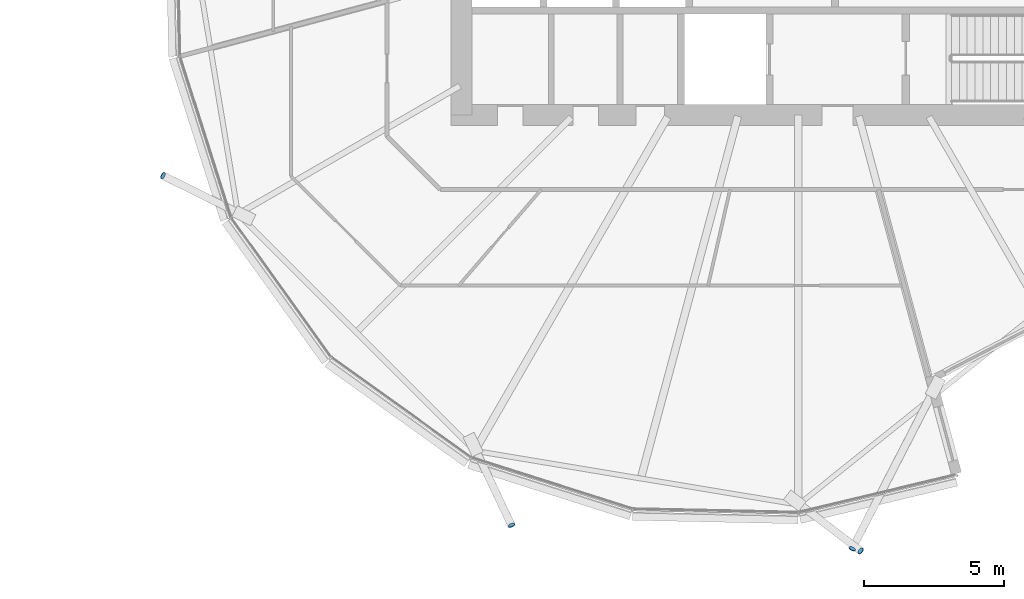
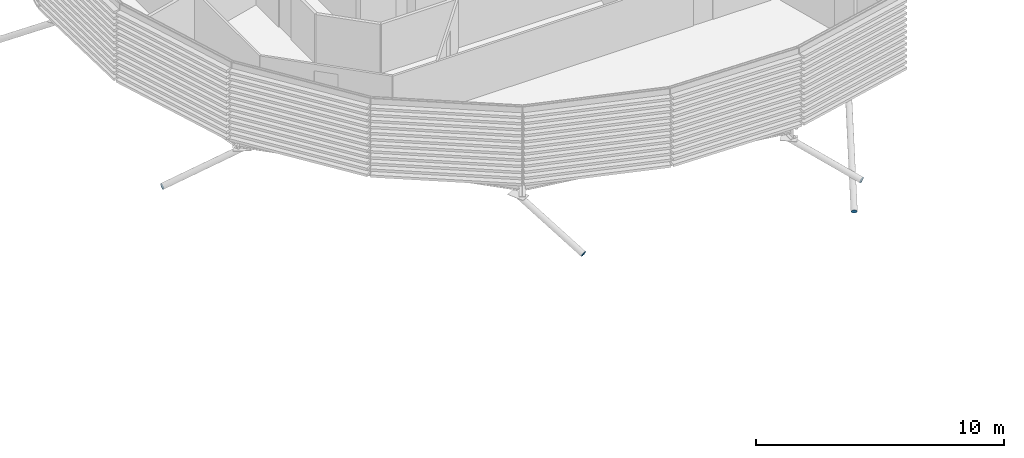
# One storey, part 30 of 39: 4 discrete accessories.
"""IFC4 building model written with IfcOpenShell, lengths in metres."""

from ifc_helpers import new_model, si_unit, direction, frame, origin, origin_2d, place, context, subcontext, project, spatial, circle, extrude, material, material_profile, profile_set, type_object, element, save


model = new_model("IFC4")

# Units and contexts
model_context = context("Model", 3, precision=1e-05, world=origin(), true_north=direction((0.0, 1.0)))
body_context = subcontext(model_context, "Body", "Model", "MODEL_VIEW")
ifc_project = project(units=[si_unit("LENGTHUNIT", "METRE"), si_unit("AREAUNIT", "SQUARE_METRE"), si_unit("VOLUMEUNIT", "CUBIC_METRE"), si_unit("PLANEANGLEUNIT", "RADIAN"), si_unit("MASSUNIT", "GRAM", prefix="KILO")], contexts=[model_context])

# Site, building, storey
site_placement = place(None, origin())
site = spatial("IfcSite", under=ifc_project, at=site_placement, CompositionType="ELEMENT")
building_placement = place(site_placement, origin())
building = spatial("IfcBuilding", under=site, at=building_placement, Name="Rimbun Link Towers", CompositionType="ELEMENT")
storey_placement = place(building_placement, frame((0.0, 0.0, 100.60009765625)))
storey = spatial("IfcBuildingStorey", under=building, at=storey_placement, Name="L24", CompositionType="ELEMENT", Elevation=100.60009765625)

# Discrete accessories
ifc_material = material(Name="Steel S355J2H", Category="steel")
ifc_material_profile = material_profile(ifc_material, circle(Radius=0.1240234375, at=origin_2d()), Name="PL D248")
ifc_profile_set = profile_set([ifc_material_profile], Name="Steel S355J2H")
discrete_accessory_type = type_object("IfcDiscreteAccessoryType", Name="Link foot sealing plate D248X20", PredefinedType="BRACKET", material=ifc_profile_set)
for number, where, z_axis, x_axis, name in (
    (1, (9.12841796875, -10.15771484375, -2.439453125), (-0.789985322303, 0.38891585098, -0.473991193382), (-0.441684025128, -0.897170676041, 0.0), "Link foot sealing plate T2 L24 11"),
    (2, (21.53125, -22.59716796875, -2.561767578125), (0.379121581812, -0.807162077407, -0.452499952486), (0.905129261834, 0.425136471467, 0.0), "Link foot sealing plate T2 L24 13"),
):
    element("IfcDiscreteAccessory", number, at=place(storey_placement, frame(where, z_axis=z_axis, x_axis=x_axis)), inside=storey, type_object=discrete_accessory_type, Name=name, PredefinedType="BRACKET", context=body_context, shape_type="SweptSolid", body=[
        extrude(circle(Radius=0.1240234375, at=origin_2d()), origin(), (0.0, 0.0, 1.0), 0.02001953125),
    ])
for number, where, z_axis, x_axis, name in (
    (3, (33.962646484375, -23.510986328125, -2.72607421875), (0.677408340875, -0.520152833172, -0.520152833172), (0.60902605709, 0.793150213885, 0.0), "Link foot sealing plate T2 L24 15"),
    (4, (33.671142578125, -23.435546875, -4.20556640625), (-0.411554722215, -0.786795792469, -0.459972924828), (0.886098212809, -0.4634975267, 0.0), "Link foot sealing plate T2 L24 16"),
):
    element("IfcDiscreteAccessory", number, at=place(storey_placement, frame(where, z_axis=z_axis, x_axis=x_axis)), inside=storey, type_object=discrete_accessory_type, Name=name, PredefinedType="BRACKET", context=body_context, shape_type="SweptSolid", body=[
        extrude(circle(Radius=0.1240234375, at=origin_2d()), origin(), (0.0, 0.0, 1.0), 0.020263671875),
    ])

save(model, "model.ifc")
